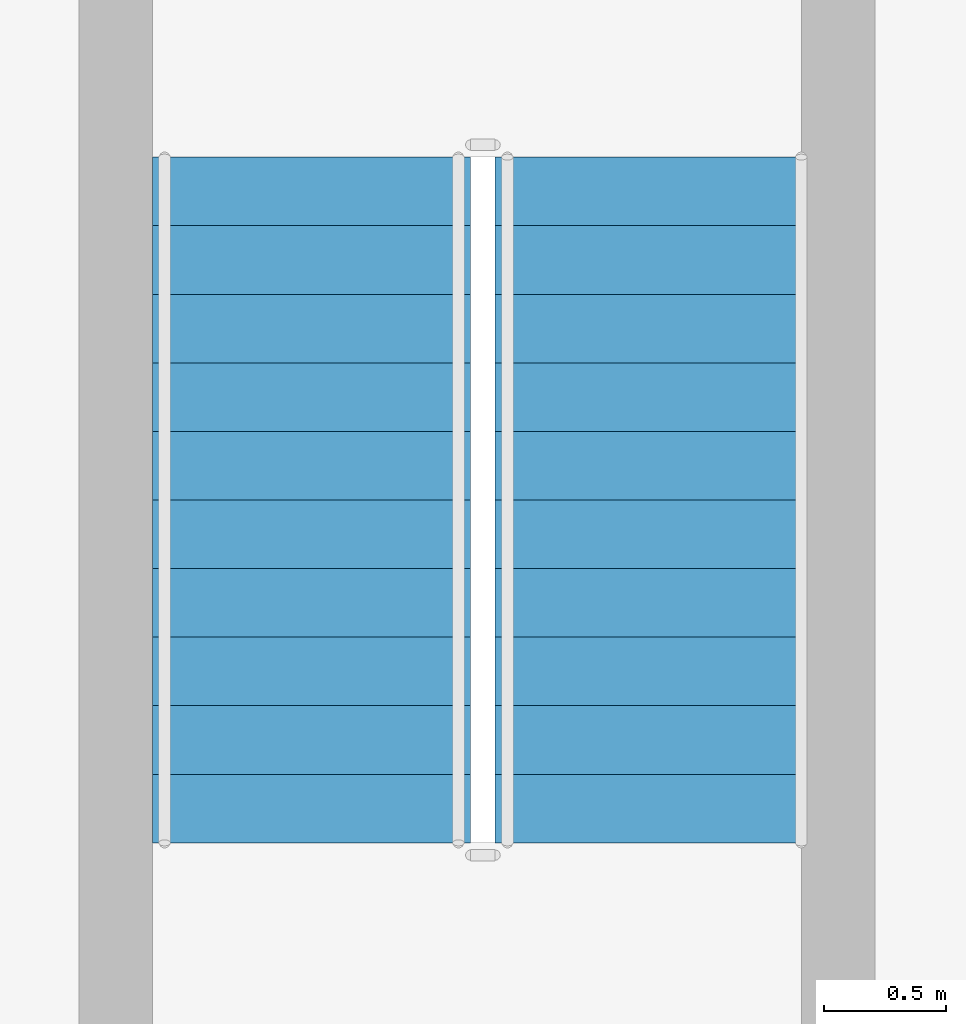
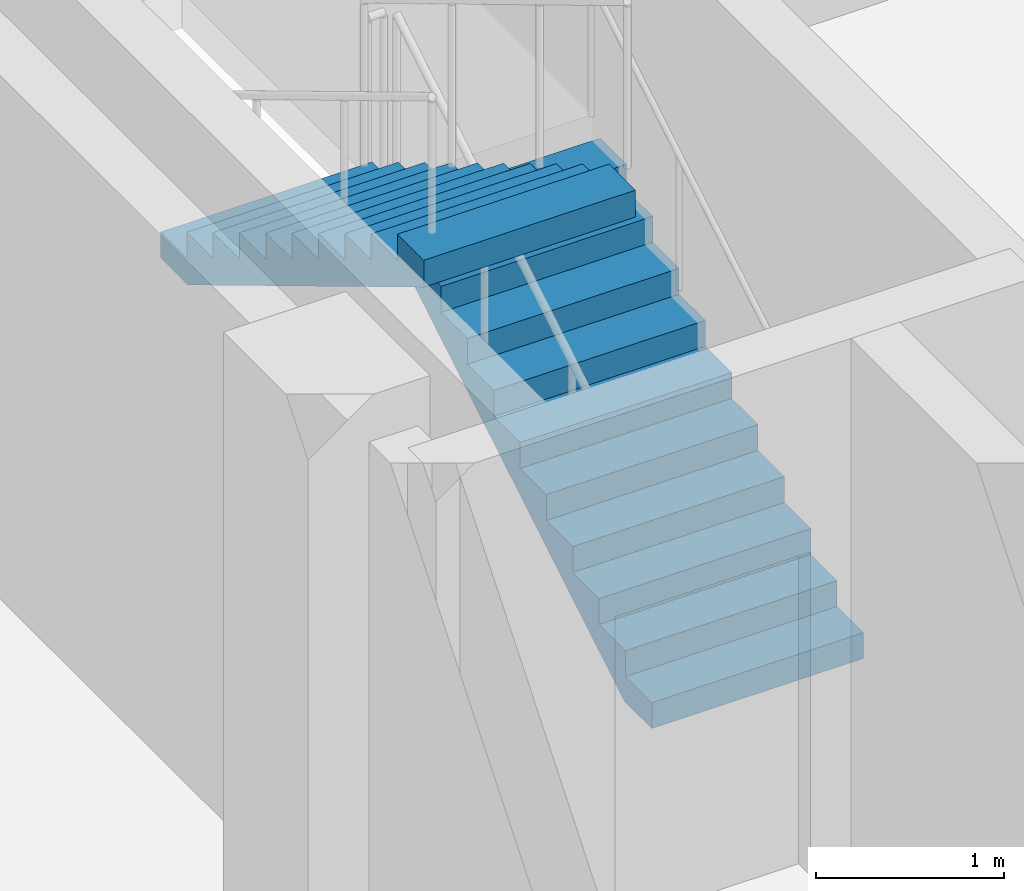
# One storey, part 16 of 26: 2 stair flights, 1 element without a shape of its own.
"""IFC4 building model written with IfcOpenShell, lengths in metres."""

import ifcopenshell
import ifcopenshell.guid

model = None  # the IFC model being written
_history = None  # IfcOwnerHistory: only IFC2X3 demands one
_inside = {}  # id of a spatial element -> (the spatial element, [elements in it])
_under = {}  # id of a project, library or spatial element -> (it, [spatial elements below it])
_declared = {}  # id of a project -> (the project, [libraries it declares])
_typed = {}  # id of a type object -> (the type object, [elements of that type])
_made_of = {}  # id of a material, layer set ... -> (it, [elements and type objects made of it])


def new_model(schema):
    """Start an empty IFC model of exactly this schema.

    Asked for "IFC4X3", IfcOpenShell would pick the latest addendum, in which some entities
    have other attributes; the version numbers below select the first issue.
    IFC2X3 requires an IfcOwnerHistory on every rooted entity: one is made here for all.
    """
    global model, _history
    if schema == "IFC4X3":
        model = ifcopenshell.file(schema_version=(4, 3, 0, 0))
    else:
        model = ifcopenshell.file(schema=schema)
    _inside.clear()
    _under.clear()
    _declared.clear()
    _typed.clear()
    _made_of.clear()
    _history = None
    if model.schema == "IFC2X3":
        org = make("IfcOrganization", Name="unknown")
        user = make(
            "IfcPersonAndOrganization",
            ThePerson=make("IfcPerson", FamilyName="unknown"),
            TheOrganization=org,
        )
        app = make(
            "IfcApplication",
            ApplicationDeveloper=org,
            Version="unknown",
            ApplicationFullName="unknown",
            ApplicationIdentifier="unknown",
        )
        _history = make(
            "IfcOwnerHistory",
            OwningUser=user,
            OwningApplication=app,
            ChangeAction="ADDED",
            CreationDate=0,
        )
    return model


def make(cls, **values):
    """One entity of the class cls with the attributes given. An attribute that is None is left unset."""
    return model.create_entity(
        cls, **{name: value for name, value in values.items() if value is not None}
    )


def rooted(cls, **values):
    """An entity with a GlobalId (a new one), such as an element, a storey or a relation."""
    return make(cls, GlobalId=ifcopenshell.guid.new(), OwnerHistory=_history, **values)


def si_unit(unit_type, name, prefix=None):
    """IfcSIUnit, for example si_unit("LENGTHUNIT", "METRE", prefix="MILLI")."""
    return make("IfcSIUnit", UnitType=unit_type, Prefix=prefix, Name=name)


def assignment(units):
    """IfcUnitAssignment: the units of a project."""
    return None if units is None else make("IfcUnitAssignment", Units=units)


def point(xyz):
    """IfcCartesianPoint."""
    return None if xyz is None else make("IfcCartesianPoint", Coordinates=xyz)


def direction(xyz):
    """IfcDirection."""
    return None if xyz is None else make("IfcDirection", DirectionRatios=xyz)


def frame(location, z_axis=None, x_axis=None):
    """IfcAxis2Placement3D, a coordinate frame: its origin and axes. An axis left out is left unset."""
    return make(
        "IfcAxis2Placement3D",
        Location=point(location),
        Axis=direction(z_axis),
        RefDirection=direction(x_axis),
    )


def origin():
    """The frame at (0, 0, 0) with its axes left unset."""
    return frame((0.0, 0.0, 0.0))


def place(relative_to, where):
    """IfcLocalPlacement: puts the frame where relative to a parent placement (None: the world)."""
    return make(
        "IfcLocalPlacement", PlacementRelTo=relative_to, RelativePlacement=where
    )


def context(
    kind, dimensions, precision=None, world=None, true_north=None, identifier=None
):
    """IfcGeometricRepresentationContext, for example the 3D "Model" context."""
    return make(
        "IfcGeometricRepresentationContext",
        ContextIdentifier=identifier,
        ContextType=kind,
        CoordinateSpaceDimension=dimensions,
        Precision=precision,
        WorldCoordinateSystem=world,
        TrueNorth=true_north,
    )


def subcontext(parent, identifier, kind, view, scale=None):
    """IfcGeometricRepresentationSubContext, for example "Body" below "Model"."""
    return make(
        "IfcGeometricRepresentationSubContext",
        ContextIdentifier=identifier,
        ContextType=kind,
        ParentContext=parent,
        TargetScale=scale,
        TargetView=view,
    )


def project(units=None, contexts=None):
    """IfcProject with its units and contexts."""
    return rooted(
        "IfcProject",
        Name="project",
        RepresentationContexts=contexts,
        UnitsInContext=assignment(units),
    )


def spatial(cls, under=None, at=None, **own):
    """A site, building, storey or space (cls), placed at a placement, below another one or the project."""
    s = rooted(cls, ObjectPlacement=at, **own)
    if under is not None:
        _under.setdefault(under.id(), (under, []))[1].append(s)
    return s


def point_list(points):
    """IfcCartesianPointList2D or 3D."""
    cls = (
        "IfcCartesianPointList2D" if len(points[0]) == 2 else "IfcCartesianPointList3D"
    )
    return make(cls, CoordList=points)


def triangles(points, corners, closed=None, point_numbers=None):
    """IfcTriangulatedFaceSet: each triangle names its three corners, points numbered from 1."""
    return make(
        "IfcTriangulatedFaceSet",
        Coordinates=point_list(points),
        Closed=closed,
        CoordIndex=corners,
        PnIndex=point_numbers,
    )


def shape(context_of_items, identifier, shape_type, items):
    """IfcShapeRepresentation: the items that make up one representation, for example the "Body"."""
    return make(
        "IfcShapeRepresentation",
        ContextOfItems=context_of_items,
        RepresentationIdentifier=identifier,
        RepresentationType=shape_type,
        Items=items,
    )


def source(mapping_origin, context_of_items, identifier, shape_type, items):
    """IfcRepresentationMap: a shape defined once, which mapped items show again and again."""
    return make(
        "IfcRepresentationMap",
        MappingOrigin=mapping_origin,
        MappedRepresentation=shape(context_of_items, identifier, shape_type, items),
    )


def transform(
    local_origin,
    x_axis=None,
    y_axis=None,
    z_axis=None,
    scale=None,
    scale2=None,
    scale3=None,
    uniform=True,
):
    """IfcCartesianTransformationOperator3D, or its non-uniform kind. x_axis, y_axis, z_axis: its Axis1, 2, 3."""
    if uniform:
        return make(
            "IfcCartesianTransformationOperator3D",
            Axis1=direction(x_axis),
            Axis2=direction(y_axis),
            LocalOrigin=point(local_origin),
            Scale=scale,
            Axis3=direction(z_axis),
        )
    return make(
        "IfcCartesianTransformationOperator3DnonUniform",
        Axis1=direction(x_axis),
        Axis2=direction(y_axis),
        LocalOrigin=point(local_origin),
        Scale=scale,
        Axis3=direction(z_axis),
        Scale2=scale2,
        Scale3=scale3,
    )


def mapped(mapping_source, mapping_target):
    """IfcMappedItem: shows the shape of a source again, moved by a transform."""
    return make(
        "IfcMappedItem", MappingSource=mapping_source, MappingTarget=mapping_target
    )


def material(Name=None, Category=None):
    """IfcMaterial."""
    return make("IfcMaterial", Name=Name, Category=Category)


def made_of(thing, what):
    """Note that an element or type object is made of a material, layer set ...; save() writes the relation."""
    if what is not None:
        _made_of.setdefault(what.id(), (what, []))[1].append(thing)
    return thing


def type_object(cls, material=None, **own):
    """A type object (cls), such as IfcWallType, which elements share."""
    return made_of(rooted(cls, **own), material)


def element(
    cls,
    number,
    at=None,
    inside=None,
    cuts=None,
    type_object=None,
    material=None,
    context=None,
    identifier="Body",
    shape_type=None,
    held_by="IfcProductDefinitionShape",
    body=None,
    shapes=None,
    **own,
):
    """One element of the class cls, such as IfcWall. Its Tag is "e" and its number.

    at: its placement. inside: the storey or other place that contains it. cuts: it is an
    opening in that element (IfcRelVoidsElement). A single representation is given by context,
    identifier, shape_type and body (its items); several are given by shapes. held_by: the class
    of the entity that holds the representations. save() writes the other relations.
    """
    e = rooted(cls, Tag="e%d" % number, ObjectPlacement=at, **own)
    if body is not None:
        shapes = [shape(context, identifier, shape_type, body)]
    if shapes is not None:
        e.Representation = make(held_by, Representations=shapes)
    if inside is not None:
        _inside.setdefault(inside.id(), (inside, []))[1].append(e)
    if cuts is not None:
        rooted(
            "IfcRelVoidsElement", RelatingBuildingElement=cuts, RelatedOpeningElement=e
        )
    if type_object is not None:
        _typed.setdefault(type_object.id(), (type_object, []))[1].append(e)
    return made_of(e, material)


def aggregate(whole, parts):
    """IfcRelAggregates: a whole, such as a stair, and the parts it consists of."""
    return rooted("IfcRelAggregates", RelatingObject=whole, RelatedObjects=parts)


def save(model, path):
    """Write the relations noted so far, then the file.

    IfcRelAggregates (storeys below a building ...), IfcRelContainedInSpatialStructure (elements
    in a storey), IfcRelDefinesByType, IfcRelAssociatesMaterial and IfcRelDeclares: one each for
    every whole, place, type object, material and project.
    """
    for whole, parts in _under.values():
        aggregate(whole, parts)
    for where, things in _inside.values():
        rooted(
            "IfcRelContainedInSpatialStructure",
            RelatedElements=things,
            RelatingStructure=where,
        )
    for kind, things in _typed.values():
        rooted("IfcRelDefinesByType", RelatedObjects=things, RelatingType=kind)
    for what, things in _made_of.values():
        rooted("IfcRelAssociatesMaterial", RelatedObjects=things, RelatingMaterial=what)
    for by, libraries in _declared.values():
        rooted("IfcRelDeclares", RelatingContext=by, RelatedDefinitions=libraries)
    model.write(path)


model = new_model("IFC4")

# Units and contexts
model_context = context("Model", 3, precision=1e-05, world=origin(), true_north=direction((0.0, 1.0)))
body_context = subcontext(model_context, "Body", "Model", "MODEL_VIEW")
ifc_project = project(units=[si_unit("LENGTHUNIT", "METRE"), si_unit("AREAUNIT", "SQUARE_METRE"), si_unit("VOLUMEUNIT", "CUBIC_METRE"), si_unit("PLANEANGLEUNIT", "RADIAN"), si_unit("MASSUNIT", "GRAM", prefix="KILO")], contexts=[model_context])

# Site, building, storey
site_placement = place(None, origin())
site = spatial("IfcSite", under=ifc_project, at=site_placement, CompositionType="ELEMENT")
building_placement = place(site_placement, origin())
building = spatial("IfcBuilding", under=site, at=building_placement, Name="Ogive Portal Towers", CompositionType="ELEMENT")
storey_placement = place(building_placement, frame((0.0, 0.0, 171.800048828125)))
storey = spatial("IfcBuildingStorey", under=building, at=storey_placement, Name="L42", CompositionType="ELEMENT", Elevation=171.800048828125)

# Stair, stair flights
ifc_material = material(Name="Concrete C40/50", Category="concrete")
stair_type = type_object("IfcStairType", Name="INT-STAIR", PredefinedType="HALF_TURN_STAIR", material=ifc_material)
stair_placement = place(storey_placement, origin())
stair = element("IfcStair", 1, at=stair_placement, inside=storey, type_object=stair_type, Name="L42 Exit Stair ST-A3", PredefinedType="HALF_TURN_STAIR")
stair_flight_type = type_object("IfcStairFlightType", Name="INT-FLIGHT", PredefinedType="STRAIGHT", material=ifc_material)
shared_shape = source(origin(), body_context, "Body", "Tessellation", [
    triangles([(0.0, -0.650146484375, 0.0), (0.0, -0.376220703125, 0.0), (0.0, -0.192626953125, 0.0), (0.0, -0.081298828125, 0.0), (0.0, -0.024169921875, 0.0), (0.0, -0.003173828125, 0.0), (0.0, 0.0, 0.0), (0.0, 0.0029296875, 0.0), (0.0, 0.02392578125, 0.0), (0.0, 0.0810546875, 0.0), (0.0, 0.1923828125, 0.0), (0.0, 0.3759765625, 0.0), (0.0, 0.64990234375, 0.0), (0.0, -0.650146484375, 0.168212890625), (0.0, -0.376220703125, 0.168212890625), (0.0, -0.192626953125, 0.168212890625), (0.0, -0.081298828125, 0.168212890625), (0.0, -0.024169921875, 0.168212890625), (0.0, -0.003173828125, 0.168212890625), (0.0, 0.0, 0.168212890625), (0.0, 0.0029296875, 0.168212890625), (0.0, 0.02392578125, 0.168212890625), (0.0, 0.0810546875, 0.168212890625), (0.0, 0.1923828125, 0.168212890625), (0.0, 0.3759765625, 0.168212890625), (0.0, 0.64990234375, 0.168212890625), (0.280029296875, -0.650146484375, 0.168212890625), (0.280029296875, -0.376220703125, 0.168212890625), (0.280029296875, -0.192626953125, 0.168212890625), (0.280029296875, -0.081298828125, 0.168212890625), (0.280029296875, -0.024169921875, 0.168212890625), (0.280029296875, -0.003173828125, 0.168212890625), (0.280029296875, 0.0, 0.168212890625), (0.280029296875, 0.0029296875, 0.168212890625), (0.280029296875, 0.02392578125, 0.168212890625), (0.280029296875, 0.0810546875, 0.168212890625), (0.280029296875, 0.1923828125, 0.168212890625), (0.280029296875, 0.3759765625, 0.168212890625), (0.280029296875, 0.64990234375, 0.168212890625), (0.280029296875, -0.650146484375, 0.33642578125), (0.280029296875, -0.376220703125, 0.33642578125), (0.280029296875, -0.192626953125, 0.33642578125), (0.280029296875, -0.081298828125, 0.33642578125), (0.280029296875, -0.024169921875, 0.33642578125), (0.280029296875, -0.003173828125, 0.33642578125), (0.280029296875, 0.0, 0.33642578125), (0.280029296875, 0.0029296875, 0.33642578125), (0.280029296875, 0.02392578125, 0.33642578125), (0.280029296875, 0.0810546875, 0.33642578125), (0.280029296875, 0.1923828125, 0.33642578125), (0.280029296875, 0.3759765625, 0.33642578125), (0.280029296875, 0.64990234375, 0.33642578125), (0.56005859375, -0.650146484375, 0.33642578125), (0.56005859375, -0.376220703125, 0.33642578125), (0.56005859375, -0.192626953125, 0.33642578125), (0.56005859375, -0.081298828125, 0.33642578125), (0.56005859375, -0.024169921875, 0.33642578125), (0.56005859375, -0.003173828125, 0.33642578125), (0.56005859375, 0.0, 0.33642578125), (0.56005859375, 0.0029296875, 0.33642578125), (0.56005859375, 0.02392578125, 0.33642578125), (0.56005859375, 0.0810546875, 0.33642578125), (0.56005859375, 0.1923828125, 0.33642578125), (0.56005859375, 0.3759765625, 0.33642578125), (0.56005859375, 0.64990234375, 0.33642578125), (0.56005859375, -0.650146484375, 0.504638671875), (0.56005859375, -0.376220703125, 0.504638671875), (0.56005859375, -0.192626953125, 0.504638671875), (0.56005859375, -0.081298828125, 0.504638671875), (0.56005859375, -0.024169921875, 0.504638671875), (0.56005859375, -0.003173828125, 0.504638671875), (0.56005859375, 0.0, 0.504638671875), (0.56005859375, 0.0029296875, 0.504638671875), (0.56005859375, 0.02392578125, 0.504638671875), (0.56005859375, 0.0810546875, 0.504638671875), (0.56005859375, 0.1923828125, 0.504638671875), (0.56005859375, 0.3759765625, 0.504638671875), (0.56005859375, 0.64990234375, 0.504638671875), (0.840087890625, -0.650146484375, 0.504638671875), (0.840087890625, -0.376220703125, 0.504638671875), (0.840087890625, -0.192626953125, 0.504638671875), (0.840087890625, -0.081298828125, 0.504638671875), (0.840087890625, -0.024169921875, 0.504638671875), (0.840087890625, -0.003173828125, 0.504638671875), (0.840087890625, 0.0, 0.504638671875), (0.840087890625, 0.0029296875, 0.504638671875), (0.840087890625, 0.02392578125, 0.504638671875), (0.840087890625, 0.0810546875, 0.504638671875), (0.840087890625, 0.1923828125, 0.504638671875), (0.840087890625, 0.3759765625, 0.504638671875), (0.840087890625, 0.64990234375, 0.504638671875), (0.840087890625, -0.650146484375, 0.672607421875), (0.840087890625, -0.376220703125, 0.672607421875), (0.840087890625, -0.192626953125, 0.672607421875), (0.840087890625, -0.081298828125, 0.672607421875), (0.840087890625, -0.024169921875, 0.672607421875), (0.840087890625, -0.003173828125, 0.672607421875), (0.840087890625, 0.0, 0.672607421875), (0.840087890625, 0.0029296875, 0.672607421875), (0.840087890625, 0.02392578125, 0.672607421875), (0.840087890625, 0.0810546875, 0.672607421875), (0.840087890625, 0.1923828125, 0.672607421875), (0.840087890625, 0.3759765625, 0.672607421875), (0.840087890625, 0.64990234375, 0.672607421875), (1.1201171875, -0.650146484375, 0.672607421875), (1.1201171875, -0.376220703125, 0.672607421875), (1.1201171875, -0.192626953125, 0.672607421875), (1.1201171875, -0.081298828125, 0.672607421875), (1.1201171875, -0.024169921875, 0.672607421875), (1.1201171875, -0.003173828125, 0.672607421875), (1.1201171875, 0.0, 0.672607421875), (1.1201171875, 0.0029296875, 0.672607421875), (1.1201171875, 0.02392578125, 0.672607421875), (1.1201171875, 0.0810546875, 0.672607421875), (1.1201171875, 0.1923828125, 0.672607421875), (1.1201171875, 0.3759765625, 0.672607421875), (1.1201171875, 0.64990234375, 0.672607421875), (1.1201171875, -0.650146484375, 0.8408203125), (1.1201171875, -0.376220703125, 0.8408203125), (1.1201171875, -0.192626953125, 0.8408203125), (1.1201171875, -0.081298828125, 0.8408203125), (1.1201171875, -0.024169921875, 0.8408203125), (1.1201171875, -0.003173828125, 0.8408203125), (1.1201171875, 0.0, 0.8408203125), (1.1201171875, 0.0029296875, 0.8408203125), (1.1201171875, 0.02392578125, 0.8408203125), (1.1201171875, 0.0810546875, 0.8408203125), (1.1201171875, 0.1923828125, 0.8408203125), (1.1201171875, 0.3759765625, 0.8408203125), (1.1201171875, 0.64990234375, 0.8408203125), (1.39990234375, -0.650146484375, 0.8408203125), (1.39990234375, -0.376220703125, 0.8408203125), (1.39990234375, -0.192626953125, 0.8408203125), (1.39990234375, -0.081298828125, 0.8408203125), (1.39990234375, -0.024169921875, 0.8408203125), (1.39990234375, -0.003173828125, 0.8408203125), (1.39990234375, 0.0, 0.8408203125), (1.39990234375, 0.0029296875, 0.8408203125), (1.39990234375, 0.02392578125, 0.8408203125), (1.39990234375, 0.0810546875, 0.8408203125), (1.39990234375, 0.1923828125, 0.8408203125), (1.39990234375, 0.3759765625, 0.8408203125), (1.39990234375, 0.64990234375, 0.8408203125), (1.39990234375, -0.650146484375, 1.009033203125), (1.39990234375, -0.376220703125, 1.009033203125), (1.39990234375, -0.192626953125, 1.009033203125), (1.39990234375, -0.081298828125, 1.009033203125), (1.39990234375, -0.024169921875, 1.009033203125), (1.39990234375, -0.003173828125, 1.009033203125), (1.39990234375, 0.0, 1.009033203125), (1.39990234375, 0.0029296875, 1.009033203125), (1.39990234375, 0.02392578125, 1.009033203125), (1.39990234375, 0.0810546875, 1.009033203125), (1.39990234375, 0.1923828125, 1.009033203125), (1.39990234375, 0.3759765625, 1.009033203125), (1.39990234375, 0.64990234375, 1.009033203125), (1.679931640625, -0.650146484375, 1.009033203125), (1.679931640625, -0.376220703125, 1.009033203125), (1.679931640625, -0.192626953125, 1.009033203125), (1.679931640625, -0.081298828125, 1.009033203125), (1.679931640625, -0.024169921875, 1.009033203125), (1.679931640625, -0.003173828125, 1.009033203125), (1.679931640625, 0.0, 1.009033203125), (1.679931640625, 0.0029296875, 1.009033203125), (1.679931640625, 0.02392578125, 1.009033203125), (1.679931640625, 0.0810546875, 1.009033203125), (1.679931640625, 0.1923828125, 1.009033203125), (1.679931640625, 0.3759765625, 1.009033203125), (1.679931640625, 0.64990234375, 1.009033203125), (1.679931640625, -0.650146484375, 1.17724609375), (1.679931640625, -0.376220703125, 1.17724609375), (1.679931640625, -0.192626953125, 1.17724609375), (1.679931640625, -0.081298828125, 1.17724609375), (1.679931640625, -0.024169921875, 1.17724609375), (1.679931640625, -0.003173828125, 1.17724609375), (1.679931640625, 0.0, 1.17724609375), (1.679931640625, 0.0029296875, 1.17724609375), (1.679931640625, 0.02392578125, 1.17724609375), (1.679931640625, 0.0810546875, 1.17724609375), (1.679931640625, 0.1923828125, 1.17724609375), (1.679931640625, 0.3759765625, 1.17724609375), (1.679931640625, 0.64990234375, 1.17724609375), (1.9599609375, -0.650146484375, 1.17724609375), (1.9599609375, -0.376220703125, 1.17724609375), (1.9599609375, -0.192626953125, 1.17724609375), (1.9599609375, -0.081298828125, 1.17724609375), (1.9599609375, -0.024169921875, 1.17724609375), (1.9599609375, -0.003173828125, 1.17724609375), (1.9599609375, 0.0, 1.17724609375), (1.9599609375, 0.0029296875, 1.17724609375), (1.9599609375, 0.02392578125, 1.17724609375), (1.9599609375, 0.0810546875, 1.17724609375), (1.9599609375, 0.1923828125, 1.17724609375), (1.9599609375, 0.3759765625, 1.17724609375), (1.9599609375, 0.64990234375, 1.17724609375), (1.9599609375, -0.650146484375, 1.345458984375), (1.9599609375, -0.376220703125, 1.345458984375), (1.9599609375, -0.192626953125, 1.345458984375), (1.9599609375, -0.081298828125, 1.345458984375), (1.9599609375, -0.024169921875, 1.345458984375), (1.9599609375, -0.003173828125, 1.345458984375), (1.9599609375, 0.0, 1.345458984375), (1.9599609375, 0.0029296875, 1.345458984375), (1.9599609375, 0.02392578125, 1.345458984375), (1.9599609375, 0.0810546875, 1.345458984375), (1.9599609375, 0.1923828125, 1.345458984375), (1.9599609375, 0.3759765625, 1.345458984375), (1.9599609375, 0.64990234375, 1.345458984375), (2.239990234375, -0.650146484375, 1.345458984375), (2.239990234375, -0.376220703125, 1.345458984375), (2.239990234375, -0.192626953125, 1.345458984375), (2.239990234375, -0.081298828125, 1.345458984375), (2.239990234375, -0.024169921875, 1.345458984375), (2.239990234375, -0.003173828125, 1.345458984375), (2.239990234375, 0.0, 1.345458984375), (2.239990234375, 0.0029296875, 1.345458984375), (2.239990234375, 0.02392578125, 1.345458984375), (2.239990234375, 0.0810546875, 1.345458984375), (2.239990234375, 0.1923828125, 1.345458984375), (2.239990234375, 0.3759765625, 1.345458984375), (2.239990234375, 0.64990234375, 1.345458984375), (2.239990234375, -0.650146484375, 1.513671875), (2.239990234375, -0.376220703125, 1.513671875), (2.239990234375, -0.192626953125, 1.513671875), (2.239990234375, -0.081298828125, 1.513671875), (2.239990234375, -0.024169921875, 1.513671875), (2.239990234375, -0.003173828125, 1.513671875), (2.239990234375, 0.0, 1.513671875), (2.239990234375, 0.0029296875, 1.513671875), (2.239990234375, 0.02392578125, 1.513671875), (2.239990234375, 0.0810546875, 1.513671875), (2.239990234375, 0.1923828125, 1.513671875), (2.239990234375, 0.3759765625, 1.513671875), (2.239990234375, 0.64990234375, 1.513671875), (2.52001953125, -0.650146484375, 1.513671875), (2.52001953125, -0.376220703125, 1.513671875), (2.52001953125, -0.192626953125, 1.513671875), (2.52001953125, -0.081298828125, 1.513671875), (2.52001953125, -0.024169921875, 1.513671875), (2.52001953125, -0.003173828125, 1.513671875), (2.52001953125, 0.0, 1.513671875), (2.52001953125, 0.0029296875, 1.513671875), (2.52001953125, 0.02392578125, 1.513671875), (2.52001953125, 0.0810546875, 1.513671875), (2.52001953125, 0.1923828125, 1.513671875), (2.52001953125, 0.3759765625, 1.513671875), (2.52001953125, 0.64990234375, 1.513671875), (2.52001953125, -0.650146484375, 1.681884765625), (2.52001953125, -0.376220703125, 1.681884765625), (2.52001953125, -0.192626953125, 1.681884765625), (2.52001953125, -0.081298828125, 1.681884765625), (2.52001953125, -0.024169921875, 1.681884765625), (2.52001953125, -0.003173828125, 1.681884765625), (2.52001953125, 0.0, 1.681884765625), (2.52001953125, 0.0029296875, 1.681884765625), (2.52001953125, 0.02392578125, 1.681884765625), (2.52001953125, 0.0810546875, 1.681884765625), (2.52001953125, 0.1923828125, 1.681884765625), (2.52001953125, 0.3759765625, 1.681884765625), (2.52001953125, 0.64990234375, 1.681884765625), (2.800048828125, -0.650146484375, 1.681884765625), (2.800048828125, -0.376220703125, 1.681884765625), (2.800048828125, -0.192626953125, 1.681884765625), (2.800048828125, -0.081298828125, 1.681884765625), (2.800048828125, -0.024169921875, 1.681884765625), (2.800048828125, -0.003173828125, 1.681884765625), (2.800048828125, 0.0, 1.681884765625), (2.800048828125, 0.0029296875, 1.681884765625), (2.800048828125, 0.02392578125, 1.681884765625), (2.800048828125, 0.0810546875, 1.681884765625), (2.800048828125, 0.1923828125, 1.681884765625), (2.800048828125, 0.3759765625, 1.681884765625), (2.800048828125, 0.64990234375, 1.681884765625), (2.800048828125, -0.650146484375, 1.5068359375), (2.800048828125, -0.376220703125, 1.5068359375), (2.800048828125, -0.192626953125, 1.5068359375), (2.800048828125, -0.081298828125, 1.5068359375), (2.800048828125, -0.024169921875, 1.5068359375), (2.800048828125, -0.003173828125, 1.5068359375), (2.800048828125, 0.0, 1.5068359375), (2.800048828125, 0.0029296875, 1.5068359375), (2.800048828125, 0.02392578125, 1.5068359375), (2.800048828125, 0.0810546875, 1.5068359375), (2.800048828125, 0.1923828125, 1.5068359375), (2.800048828125, 0.3759765625, 1.5068359375), (2.800048828125, 0.64990234375, 1.5068359375), (0.291015625, -0.650146484375, 0.0), (0.291015625, -0.376220703125, 0.0), (0.291015625, -0.192626953125, 0.0), (0.291015625, -0.081298828125, 0.0), (0.291015625, -0.024169921875, 0.0), (0.291015625, -0.003173828125, 0.0), (0.291015625, 0.0, 0.0), (0.291015625, 0.0029296875, 0.0), (0.291015625, 0.02392578125, 0.0), (0.291015625, 0.0810546875, 0.0), (0.291015625, 0.1923828125, 0.0), (0.291015625, 0.3759765625, 0.0), (0.291015625, 0.64990234375, 0.0)], [[1, 14, 15], [1, 15, 2], [2, 15, 16], [2, 16, 3], [3, 16, 17], [3, 17, 4], [4, 17, 18], [4, 18, 5], [5, 18, 19], [5, 19, 6], [6, 19, 20], [6, 20, 7], [7, 20, 21], [7, 21, 8], [8, 21, 22], [8, 22, 9], [9, 22, 23], [9, 23, 10], [10, 23, 24], [10, 24, 11], [11, 24, 25], [11, 25, 12], [12, 25, 26], [12, 26, 13], [14, 27, 28], [14, 28, 15], [15, 28, 29], [15, 29, 16], [16, 29, 30], [16, 30, 17], [17, 30, 31], [17, 31, 18], [18, 31, 32], [18, 32, 19], [19, 32, 33], [19, 33, 20], [20, 33, 34], [20, 34, 21], [21, 34, 35], [21, 35, 22], [22, 35, 36], [22, 36, 23], [23, 36, 37], [23, 37, 24], [24, 37, 38], [24, 38, 25], [25, 38, 39], [25, 39, 26], [27, 40, 41], [27, 41, 28], [28, 41, 42], [28, 42, 29], [29, 42, 43], [29, 43, 30], [30, 43, 44], [30, 44, 31], [31, 44, 45], [31, 45, 32], [32, 45, 46], [32, 46, 33], [33, 46, 47], [33, 47, 34], [34, 47, 48], [34, 48, 35], [35, 48, 49], [35, 49, 36], [36, 49, 50], [36, 50, 37], [37, 50, 51], [37, 51, 38], [38, 51, 52], [38, 52, 39], [40, 53, 54], [40, 54, 41], [41, 54, 55], [41, 55, 42], [42, 55, 56], [42, 56, 43], [43, 56, 57], [43, 57, 44], [44, 57, 58], [44, 58, 45], [45, 58, 59], [45, 59, 46], [46, 59, 60], [46, 60, 47], [47, 60, 61], [47, 61, 48], [48, 61, 62], [48, 62, 49], [49, 62, 63], [49, 63, 50], [50, 63, 64], [50, 64, 51], [51, 64, 65], [51, 65, 52], [53, 66, 67], [53, 67, 54], [54, 67, 68], [54, 68, 55], [55, 68, 69], [55, 69, 56], [56, 69, 70], [56, 70, 57], [57, 70, 71], [57, 71, 58], [58, 71, 72], [58, 72, 59], [59, 72, 73], [59, 73, 60], [60, 73, 74], [60, 74, 61], [61, 74, 75], [61, 75, 62], [62, 75, 76], [62, 76, 63], [63, 76, 77], [63, 77, 64], [64, 77, 78], [64, 78, 65], [66, 79, 80], [66, 80, 67], [67, 80, 81], [67, 81, 68], [68, 81, 82], [68, 82, 69], [69, 82, 83], [69, 83, 70], [70, 83, 84], [70, 84, 71], [71, 84, 85], [71, 85, 72], [72, 85, 86], [72, 86, 73], [73, 86, 87], [73, 87, 74], [74, 87, 88], [74, 88, 75], [75, 88, 89], [75, 89, 76], [76, 89, 90], [76, 90, 77], [77, 90, 91], [77, 91, 78], [79, 92, 93], [79, 93, 80], [80, 93, 94], [80, 94, 81], [81, 94, 95], [81, 95, 82], [82, 95, 96], [82, 96, 83], [83, 96, 97], [83, 97, 84], [84, 97, 98], [84, 98, 85], [85, 98, 99], [85, 99, 86], [86, 99, 100], [86, 100, 87], [87, 100, 101], [87, 101, 88], [88, 101, 102], [88, 102, 89], [89, 102, 103], [89, 103, 90], [90, 103, 104], [90, 104, 91], [92, 105, 106], [92, 106, 93], [93, 106, 107], [93, 107, 94], [94, 107, 108], [94, 108, 95], [95, 108, 109], [95, 109, 96], [96, 109, 110], [96, 110, 97], [97, 110, 111], [97, 111, 98], [98, 111, 112], [98, 112, 99], [99, 112, 113], [99, 113, 100], [100, 113, 114], [100, 114, 101], [101, 114, 115], [101, 115, 102], [102, 115, 116], [102, 116, 103], [103, 116, 117], [103, 117, 104], [105, 118, 119], [105, 119, 106], [106, 119, 120], [106, 120, 107], [107, 120, 121], [107, 121, 108], [108, 121, 122], [108, 122, 109], [109, 122, 123], [109, 123, 110], [110, 123, 124], [110, 124, 111], [111, 124, 125], [111, 125, 112], [112, 125, 126], [112, 126, 113], [113, 126, 127], [113, 127, 114], [114, 127, 128], [114, 128, 115], [115, 128, 129], [115, 129, 116], [116, 129, 130], [116, 130, 117], [118, 131, 132], [118, 132, 119], [119, 132, 133], [119, 133, 120], [120, 133, 134], [120, 134, 121], [121, 134, 135], [121, 135, 122], [122, 135, 136], [122, 136, 123], [123, 136, 137], [123, 137, 124], [124, 137, 138], [124, 138, 125], [125, 138, 139], [125, 139, 126], [126, 139, 140], [126, 140, 127], [127, 140, 141], [127, 141, 128], [128, 141, 142], [128, 142, 129], [129, 142, 143], [129, 143, 130], [131, 144, 145], [131, 145, 132], [132, 145, 146], [132, 146, 133], [133, 146, 147], [133, 147, 134], [134, 147, 148], [134, 148, 135], [135, 148, 149], [135, 149, 136], [136, 149, 150], [136, 150, 137], [137, 150, 151], [137, 151, 138], [138, 151, 152], [138, 152, 139], [139, 152, 153], [139, 153, 140], [140, 153, 154], [140, 154, 141], [141, 154, 155], [141, 155, 142], [142, 155, 156], [142, 156, 143], [144, 157, 158], [144, 158, 145], [145, 158, 159], [145, 159, 146], [146, 159, 160], [146, 160, 147], [147, 160, 161], [147, 161, 148], [148, 161, 162], [148, 162, 149], [149, 162, 163], [149, 163, 150], [150, 163, 164], [150, 164, 151], [151, 164, 165], [151, 165, 152], [152, 165, 166], [152, 166, 153], [153, 166, 167], [153, 167, 154], [154, 167, 168], [154, 168, 155], [155, 168, 169], [155, 169, 156], [157, 170, 171], [157, 171, 158], [158, 171, 172], [158, 172, 159], [159, 172, 173], [159, 173, 160], [160, 173, 174], [160, 174, 161], [161, 174, 175], [161, 175, 162], [162, 175, 176], [162, 176, 163], [163, 176, 177], [163, 177, 164], [164, 177, 178], [164, 178, 165], [165, 178, 179], [165, 179, 166], [166, 179, 180], [166, 180, 167], [167, 180, 181], [167, 181, 168], [168, 181, 182], [168, 182, 169], [170, 183, 184], [170, 184, 171], [171, 184, 185], [171, 185, 172], [172, 185, 186], [172, 186, 173], [173, 186, 187], [173, 187, 174], [174, 187, 188], [174, 188, 175], [175, 188, 189], [175, 189, 176], [176, 189, 190], [176, 190, 177], [177, 190, 191], [177, 191, 178], [178, 191, 192], [178, 192, 179], [179, 192, 193], [179, 193, 180], [180, 193, 194], [180, 194, 181], [181, 194, 195], [181, 195, 182], [183, 196, 197], [183, 197, 184], [184, 197, 198], [184, 198, 185], [185, 198, 199], [185, 199, 186], [186, 199, 200], [186, 200, 187], [187, 200, 201], [187, 201, 188], [188, 201, 202], [188, 202, 189], [189, 202, 203], [189, 203, 190], [190, 203, 204], [190, 204, 191], [191, 204, 205], [191, 205, 192], [192, 205, 206], [192, 206, 193], [193, 206, 207], [193, 207, 194], [194, 207, 208], [194, 208, 195], [196, 209, 210], [196, 210, 197], [197, 210, 211], [197, 211, 198], [198, 211, 212], [198, 212, 199], [199, 212, 213], [199, 213, 200], [200, 213, 214], [200, 214, 201], [201, 214, 215], [201, 215, 202], [202, 215, 216], [202, 216, 203], [203, 216, 217], [203, 217, 204], [204, 217, 218], [204, 218, 205], [205, 218, 219], [205, 219, 206], [206, 219, 220], [206, 220, 207], [207, 220, 221], [207, 221, 208], [209, 222, 223], [209, 223, 210], [210, 223, 224], [210, 224, 211], [211, 224, 225], [211, 225, 212], [212, 225, 226], [212, 226, 213], [213, 226, 227], [213, 227, 214], [214, 227, 228], [214, 228, 215], [215, 228, 229], [215, 229, 216], [216, 229, 230], [216, 230, 217], [217, 230, 231], [217, 231, 218], [218, 231, 232], [218, 232, 219], [219, 232, 233], [219, 233, 220], [220, 233, 234], [220, 234, 221], [222, 235, 236], [222, 236, 223], [223, 236, 237], [223, 237, 224], [224, 237, 238], [224, 238, 225], [225, 238, 239], [225, 239, 226], [226, 239, 240], [226, 240, 227], [227, 240, 241], [227, 241, 228], [228, 241, 242], [228, 242, 229], [229, 242, 243], [229, 243, 230], [230, 243, 244], [230, 244, 231], [231, 244, 245], [231, 245, 232], [232, 245, 246], [232, 246, 233], [233, 246, 247], [233, 247, 234], [235, 248, 249], [235, 249, 236], [236, 249, 250], [236, 250, 237], [237, 250, 251], [237, 251, 238], [238, 251, 252], [238, 252, 239], [239, 252, 253], [239, 253, 240], [240, 253, 254], [240, 254, 241], [241, 254, 255], [241, 255, 242], [242, 255, 256], [242, 256, 243], [243, 256, 257], [243, 257, 244], [244, 257, 258], [244, 258, 245], [245, 258, 259], [245, 259, 246], [246, 259, 260], [246, 260, 247], [248, 261, 262], [248, 262, 249], [249, 262, 263], [249, 263, 250], [250, 263, 264], [250, 264, 251], [251, 264, 265], [251, 265, 252], [252, 265, 266], [252, 266, 253], [253, 266, 267], [253, 267, 254], [254, 267, 268], [254, 268, 255], [255, 268, 269], [255, 269, 256], [256, 269, 270], [256, 270, 257], [257, 270, 271], [257, 271, 258], [258, 271, 272], [258, 272, 259], [259, 272, 273], [259, 273, 260], [261, 274, 275], [261, 275, 262], [262, 275, 276], [262, 276, 263], [263, 276, 277], [263, 277, 264], [264, 277, 278], [264, 278, 265], [265, 278, 279], [265, 279, 266], [266, 279, 280], [266, 280, 267], [267, 280, 281], [267, 281, 268], [268, 281, 282], [268, 282, 269], [269, 282, 283], [269, 283, 270], [270, 283, 284], [270, 284, 271], [271, 284, 285], [271, 285, 272], [272, 285, 286], [272, 286, 273], [274, 287, 288], [274, 288, 275], [275, 288, 289], [275, 289, 276], [276, 289, 290], [276, 290, 277], [277, 290, 291], [277, 291, 278], [278, 291, 292], [278, 292, 279], [279, 292, 293], [279, 293, 280], [280, 293, 294], [280, 294, 281], [281, 294, 295], [281, 295, 282], [282, 295, 296], [282, 296, 283], [283, 296, 297], [283, 297, 284], [284, 297, 298], [284, 298, 285], [285, 298, 299], [285, 299, 286], [287, 1, 2], [287, 2, 288], [288, 2, 3], [288, 3, 289], [289, 3, 4], [289, 4, 290], [290, 4, 5], [290, 5, 291], [291, 5, 6], [291, 6, 292], [292, 6, 7], [292, 7, 293], [293, 7, 8], [293, 8, 294], [294, 8, 9], [294, 9, 295], [295, 9, 10], [295, 10, 296], [296, 10, 11], [296, 11, 297], [297, 11, 12], [297, 12, 298], [298, 12, 13], [298, 13, 299], [1, 287, 274], [13, 286, 299], [274, 261, 248], [286, 260, 273], [274, 248, 235], [286, 247, 260], [274, 235, 222], [286, 234, 247], [274, 222, 209], [286, 221, 234], [209, 196, 183], [221, 195, 208], [274, 209, 183], [286, 195, 221], [183, 170, 157], [195, 169, 182], [274, 183, 157], [286, 169, 195], [157, 144, 131], [169, 143, 156], [274, 157, 131], [286, 143, 169], [131, 118, 105], [143, 117, 130], [274, 131, 105], [286, 117, 143], [1, 274, 105], [13, 117, 286], [105, 92, 79], [117, 91, 104], [79, 66, 53], [91, 65, 78], [105, 79, 53], [117, 65, 91], [53, 40, 27], [65, 39, 52], [105, 53, 27], [117, 39, 65], [1, 105, 27], [13, 39, 117], [27, 14, 1], [39, 13, 26]], closed=True),
])
stair_flight_1_placement = place(storey_placement, frame((43.550048828125, 67.199951171875, 0.0), z_axis=(0.0, 0.0, 1.0), x_axis=(0.0, 1.0, 0.0)))
stair_flight_1 = element("IfcStairFlight", 2, at=stair_flight_1_placement, type_object=stair_flight_type, Name="ST-A3 flight 1", NumberOfRisers=11, NumberOfTreads=10, PredefinedType="STRAIGHT", RiserHeight=0.168181818, TreadLength=0.28, context=body_context, shape_type="MappedRepresentation", body=[
    mapped(shared_shape, transform((0.0, 0.0, 0.0), scale=1.0)),
])
stair_flight_2_placement = place(storey_placement, frame((42.14990234375, 70.0, 1.849853515625), z_axis=(0.0, 0.0, 1.0), x_axis=(0.0, -1.0, 0.0)))
stair_flight_2 = element("IfcStairFlight", 3, at=stair_flight_2_placement, type_object=stair_flight_type, Name="ST-A3 flight 2", NumberOfRisers=11, NumberOfTreads=10, PredefinedType="STRAIGHT", RiserHeight=0.168181818, TreadLength=0.28, context=body_context, shape_type="MappedRepresentation", body=[
    mapped(shared_shape, transform((0.0, 0.0, 0.0), scale=1.0)),
])
aggregate(stair, [stair_flight_1, stair_flight_2])

save(model, "model.ifc")
